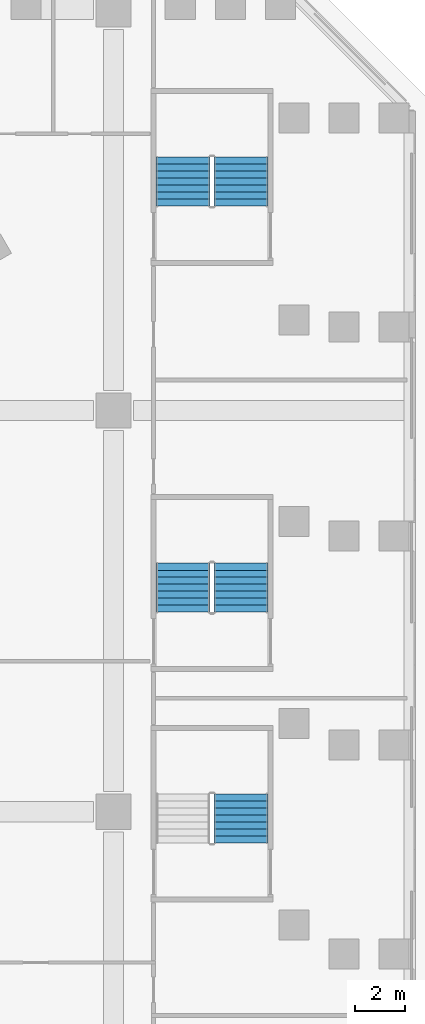
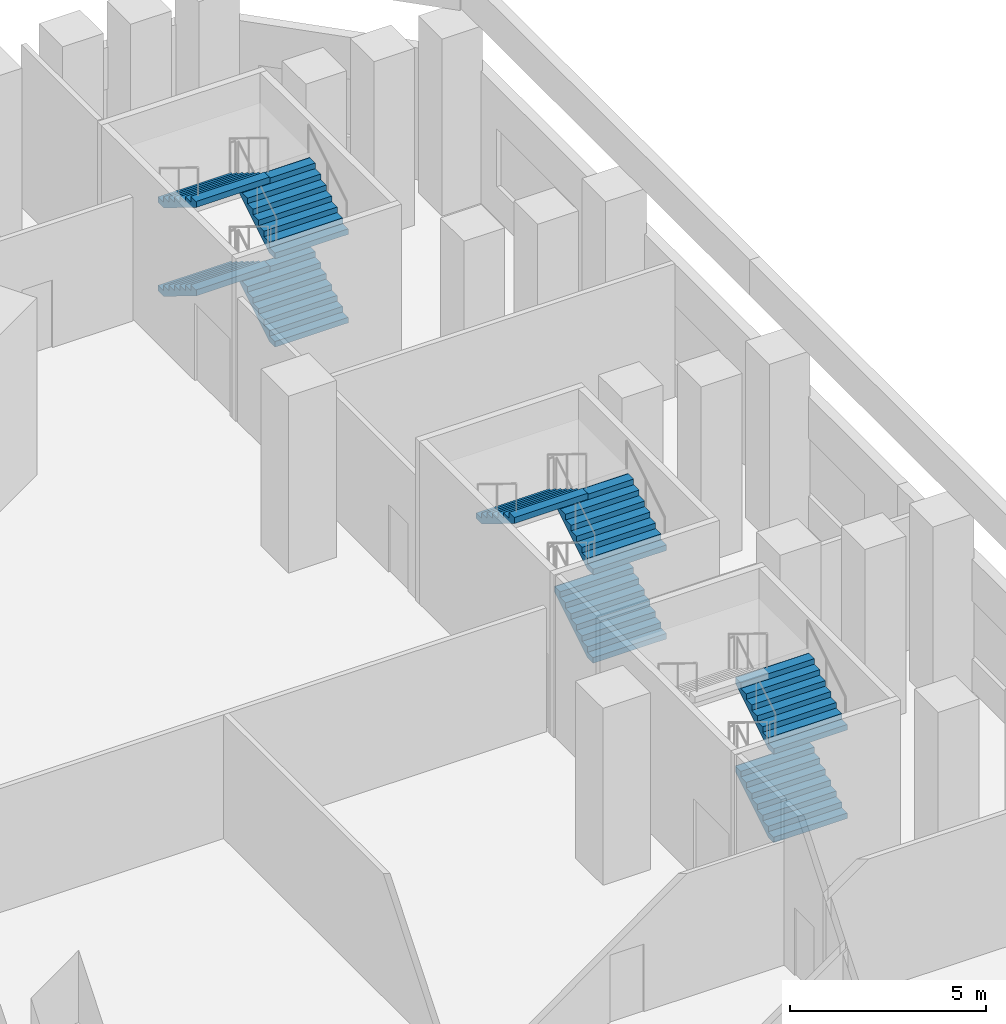
# One storey, part 17 of 22: 9 stair flights, 3 elements without a shape of their own.
"""IFC4 building model written with IfcOpenShell, lengths in metres."""

from ifc_helpers import new_model, si_unit, direction, frame, origin, place, context, subcontext, project, spatial, faceted_brep, source, transform, mapped, material, type_object, element, aggregate, save


model = new_model("IFC4")

# Units and contexts
model_context = context("Model", 3, precision=1e-05, world=origin(), true_north=direction((0.0, 1.0)))
body_context = subcontext(model_context, "Body", "Model", "MODEL_VIEW")
ifc_project = project(units=[si_unit("LENGTHUNIT", "METRE"), si_unit("AREAUNIT", "SQUARE_METRE"), si_unit("VOLUMEUNIT", "CUBIC_METRE"), si_unit("PLANEANGLEUNIT", "RADIAN"), si_unit("MASSUNIT", "GRAM", prefix="KILO")], contexts=[model_context])

# Site, building, storey
site_placement = place(None, origin())
site = spatial("IfcSite", under=ifc_project, at=site_placement, CompositionType="ELEMENT")
building_placement = place(site_placement, origin())
building = spatial("IfcBuilding", under=site, at=building_placement, Name="Calabash Gate Tower", CompositionType="ELEMENT")
storey_placement = place(building_placement, frame((0.0, 0.0, 29.0)))
storey = spatial("IfcBuildingStorey", under=building, at=storey_placement, Name="L03", CompositionType="ELEMENT", Elevation=29.0)

# Stair, stair flights
ifc_material_1 = material(Name="Concrete C40/50", Category="concrete")
stair_type = type_object("IfcStairType", Name="Public stair 32 risers of 171.9 mm", PredefinedType="HALF_TURN_STAIR", material=ifc_material_1)
stair_1_placement = place(storey_placement, origin())
stair_1 = element("IfcStair", 1, at=stair_1_placement, inside=storey, type_object=stair_type, Name="L03 Public Stair PS8", PredefinedType="HALF_TURN_STAIR")
ifc_material_2 = material(Name="Concrete C40/50", Category="concrete")
stair_flight_type = type_object("IfcStairFlightType", Name="Exit stair flight SFL", PredefinedType="STRAIGHT", material=ifc_material_2)
shared_shape = source(origin(), body_context, "Body", "Brep", [
    faceted_brep([(-0.0009765625, -1.080078125, 0.0), (0.285888671875, -1.080078125, 0.0), (1.9541015625, -1.080078125, 1.027099609375), (-0.0009765625, 1.080078125, 0.0), (1.9541015625, 1.080078125, 1.027099609375), (0.285888671875, 1.080078125, 0.0), (1.9541015625, -1.080078125, 1.215087890625), (1.952880859375, -1.080078125, 1.215087890625), (1.952880859375, 1.080078125, 1.215087890625), (1.9541015625, 1.080078125, 1.215087890625), (1.952880859375, -1.080078125, 1.203125), (1.952880859375, 1.080078125, 1.203125), (1.674072265625, -1.080078125, 1.203125), (1.674072265625, 1.080078125, 1.203125), (1.674072265625, -1.080078125, 1.03125), (1.674072265625, 1.080078125, 1.03125), (1.39501953125, -1.080078125, 1.03125), (1.39501953125, 1.080078125, 1.03125), (1.39501953125, -1.080078125, 0.859375), (1.39501953125, 1.080078125, 0.859375), (1.115966796875, -1.080078125, 0.859375), (1.115966796875, -1.080078125, 0.6875), (1.115966796875, 1.080078125, 0.6875), (1.115966796875, 1.080078125, 0.859375), (0.8369140625, -1.080078125, 0.6875), (0.8369140625, -1.080078125, 0.515625), (0.8369140625, 1.080078125, 0.515625), (0.8369140625, 1.080078125, 0.6875), (0.55810546875, -1.080078125, 0.515625), (0.55810546875, -1.080078125, 0.34375), (0.55810546875, 1.080078125, 0.34375), (0.55810546875, 1.080078125, 0.515625), (0.279052734375, -1.080078125, 0.34375), (0.279052734375, -1.080078125, 0.171875), (0.279052734375, 1.080078125, 0.171875), (0.279052734375, 1.080078125, 0.34375), (-0.0009765625, -1.080078125, 0.171875), (-0.0009765625, 1.080078125, 0.171875), (0.285888671875, -0.431884765625, 0.0), (1.9541015625, -0.431884765625, 1.027099609375), (0.285888671875, -0.370361328125, 0.0), (1.9541015625, -0.370361328125, 1.027099609375), (0.285888671875, -0.30859375, 0.0), (1.9541015625, -0.30859375, 1.027099609375), (0.285888671875, -0.246826171875, 0.0), (1.9541015625, -0.246826171875, 1.027099609375), (0.285888671875, -0.18505859375, 0.0), (1.9541015625, -0.18505859375, 1.027099609375), (0.285888671875, -0.12353515625, 0.0), (1.9541015625, -0.12353515625, 1.027099609375), (0.285888671875, -0.061767578125, 0.0), (1.9541015625, -0.061767578125, 1.027099609375), (0.285888671875, 0.0, 0.0), (1.9541015625, 0.0, 1.027099609375), (0.285888671875, 0.061767578125, 0.0), (1.9541015625, 0.061767578125, 1.027099609375), (0.285888671875, 0.12353515625, 0.0), (1.9541015625, 0.12353515625, 1.027099609375), (0.285888671875, 0.18505859375, 0.0), (1.9541015625, 0.18505859375, 1.027099609375), (0.285888671875, 0.246826171875, 0.0), (1.9541015625, 0.246826171875, 1.027099609375), (0.285888671875, 0.30859375, 0.0), (1.9541015625, 0.30859375, 1.027099609375), (0.285888671875, 0.370361328125, 0.0), (1.9541015625, 0.370361328125, 1.027099609375), (0.285888671875, 0.431884765625, 0.0), (1.9541015625, 0.431884765625, 1.027099609375), (1.9541015625, -0.431884765625, 1.215087890625), (1.9541015625, -0.370361328125, 1.215087890625), (1.9541015625, -0.30859375, 1.215087890625), (1.9541015625, -0.246826171875, 1.215087890625), (1.9541015625, -0.18505859375, 1.215087890625), (1.9541015625, -0.12353515625, 1.215087890625), (1.9541015625, -0.061767578125, 1.215087890625), (1.9541015625, 0.0, 1.215087890625), (1.9541015625, 0.061767578125, 1.215087890625), (1.9541015625, 0.12353515625, 1.215087890625), (1.9541015625, 0.18505859375, 1.215087890625), (1.9541015625, 0.246826171875, 1.215087890625), (1.9541015625, 0.30859375, 1.215087890625), (1.9541015625, 0.370361328125, 1.215087890625), (1.9541015625, 0.431884765625, 1.215087890625), (1.952880859375, -0.431884765625, 1.215087890625), (1.952880859375, -0.370361328125, 1.215087890625), (1.952880859375, -0.30859375, 1.215087890625), (1.952880859375, -0.246826171875, 1.215087890625), (1.952880859375, -0.18505859375, 1.215087890625), (1.952880859375, -0.12353515625, 1.215087890625), (1.952880859375, -0.061767578125, 1.215087890625), (1.952880859375, 0.0, 1.215087890625), (1.952880859375, 0.061767578125, 1.215087890625), (1.952880859375, 0.12353515625, 1.215087890625), (1.952880859375, 0.18505859375, 1.215087890625), (1.952880859375, 0.246826171875, 1.215087890625), (1.952880859375, 0.30859375, 1.215087890625), (1.952880859375, 0.370361328125, 1.215087890625), (1.952880859375, 0.431884765625, 1.215087890625), (1.952880859375, -0.431884765625, 1.203125), (1.952880859375, -0.370361328125, 1.203125), (1.952880859375, -0.30859375, 1.203125), (1.952880859375, -0.246826171875, 1.203125), (1.952880859375, -0.18505859375, 1.203125), (1.952880859375, -0.12353515625, 1.203125), (1.952880859375, -0.061767578125, 1.203125), (1.952880859375, 0.0, 1.203125), (1.952880859375, 0.061767578125, 1.203125), (1.952880859375, 0.12353515625, 1.203125), (1.952880859375, 0.18505859375, 1.203125), (1.952880859375, 0.246826171875, 1.203125), (1.952880859375, 0.30859375, 1.203125), (1.952880859375, 0.370361328125, 1.203125), (1.952880859375, 0.431884765625, 1.203125), (1.674072265625, -0.431884765625, 1.203125), (1.674072265625, -0.370361328125, 1.203125), (1.674072265625, -0.30859375, 1.203125), (1.674072265625, -0.246826171875, 1.203125), (1.674072265625, -0.18505859375, 1.203125), (1.674072265625, -0.12353515625, 1.203125), (1.674072265625, -0.061767578125, 1.203125), (1.674072265625, 0.0, 1.203125), (1.674072265625, 0.061767578125, 1.203125), (1.674072265625, 0.12353515625, 1.203125), (1.674072265625, 0.18505859375, 1.203125), (1.674072265625, 0.246826171875, 1.203125), (1.674072265625, 0.30859375, 1.203125), (1.674072265625, 0.370361328125, 1.203125), (1.674072265625, 0.431884765625, 1.203125), (1.674072265625, -0.431884765625, 1.03125), (1.674072265625, -0.370361328125, 1.03125), (1.674072265625, -0.30859375, 1.03125), (1.674072265625, -0.246826171875, 1.03125), (1.674072265625, -0.18505859375, 1.03125), (1.674072265625, -0.12353515625, 1.03125), (1.674072265625, -0.061767578125, 1.03125), (1.674072265625, 0.0, 1.03125), (1.674072265625, 0.061767578125, 1.03125), (1.674072265625, 0.12353515625, 1.03125), (1.674072265625, 0.18505859375, 1.03125), (1.674072265625, 0.246826171875, 1.03125), (1.674072265625, 0.30859375, 1.03125), (1.674072265625, 0.370361328125, 1.03125), (1.674072265625, 0.431884765625, 1.03125), (1.39501953125, -0.431884765625, 1.03125), (1.39501953125, -0.370361328125, 1.03125), (1.39501953125, -0.30859375, 1.03125), (1.39501953125, -0.246826171875, 1.03125), (1.39501953125, -0.18505859375, 1.03125), (1.39501953125, -0.12353515625, 1.03125), (1.39501953125, -0.061767578125, 1.03125), (1.39501953125, 0.0, 1.03125), (1.39501953125, 0.061767578125, 1.03125), (1.39501953125, 0.12353515625, 1.03125), (1.39501953125, 0.18505859375, 1.03125), (1.39501953125, 0.246826171875, 1.03125), (1.39501953125, 0.30859375, 1.03125), (1.39501953125, 0.370361328125, 1.03125), (1.39501953125, 0.431884765625, 1.03125), (1.39501953125, -0.431884765625, 0.859375), (1.39501953125, -0.370361328125, 0.859375), (1.39501953125, -0.30859375, 0.859375), (1.39501953125, -0.246826171875, 0.859375), (1.39501953125, -0.18505859375, 0.859375), (1.39501953125, -0.12353515625, 0.859375), (1.39501953125, -0.061767578125, 0.859375), (1.39501953125, 0.0, 0.859375), (1.39501953125, 0.061767578125, 0.859375), (1.39501953125, 0.12353515625, 0.859375), (1.39501953125, 0.18505859375, 0.859375), (1.39501953125, 0.246826171875, 0.859375), (1.39501953125, 0.30859375, 0.859375), (1.39501953125, 0.370361328125, 0.859375), (1.39501953125, 0.431884765625, 0.859375), (1.115966796875, -0.431884765625, 0.859375), (1.115966796875, -0.370361328125, 0.859375), (1.115966796875, -0.30859375, 0.859375), (1.115966796875, -0.246826171875, 0.859375), (1.115966796875, -0.18505859375, 0.859375), (1.115966796875, -0.12353515625, 0.859375), (1.115966796875, -0.061767578125, 0.859375), (1.115966796875, 0.0, 0.859375), (1.115966796875, 0.061767578125, 0.859375), (1.115966796875, 0.12353515625, 0.859375), (1.115966796875, 0.18505859375, 0.859375), (1.115966796875, 0.246826171875, 0.859375), (1.115966796875, 0.30859375, 0.859375), (1.115966796875, 0.370361328125, 0.859375), (1.115966796875, 0.431884765625, 0.859375), (1.115966796875, -0.431884765625, 0.6875), (1.115966796875, -0.370361328125, 0.6875), (1.115966796875, -0.30859375, 0.6875), (1.115966796875, -0.246826171875, 0.6875), (1.115966796875, -0.18505859375, 0.6875), (1.115966796875, -0.12353515625, 0.6875), (1.115966796875, -0.061767578125, 0.6875), (1.115966796875, 0.0, 0.6875), (1.115966796875, 0.061767578125, 0.6875), (1.115966796875, 0.12353515625, 0.6875), (1.115966796875, 0.18505859375, 0.6875), (1.115966796875, 0.246826171875, 0.6875), (1.115966796875, 0.30859375, 0.6875), (1.115966796875, 0.370361328125, 0.6875), (1.115966796875, 0.431884765625, 0.6875), (0.8369140625, -0.431884765625, 0.6875), (0.8369140625, -0.370361328125, 0.6875), (0.8369140625, -0.30859375, 0.6875), (0.8369140625, -0.246826171875, 0.6875), (0.8369140625, -0.18505859375, 0.6875), (0.8369140625, -0.12353515625, 0.6875), (0.8369140625, -0.061767578125, 0.6875), (0.8369140625, 0.0, 0.6875), (0.8369140625, 0.061767578125, 0.6875), (0.8369140625, 0.12353515625, 0.6875), (0.8369140625, 0.18505859375, 0.6875), (0.8369140625, 0.246826171875, 0.6875), (0.8369140625, 0.30859375, 0.6875), (0.8369140625, 0.370361328125, 0.6875), (0.8369140625, 0.431884765625, 0.6875), (0.8369140625, -0.431884765625, 0.515625), (0.8369140625, -0.370361328125, 0.515625), (0.8369140625, -0.30859375, 0.515625), (0.8369140625, -0.246826171875, 0.515625), (0.8369140625, -0.18505859375, 0.515625), (0.8369140625, -0.12353515625, 0.515625), (0.8369140625, -0.061767578125, 0.515625), (0.8369140625, 0.0, 0.515625), (0.8369140625, 0.061767578125, 0.515625), (0.8369140625, 0.12353515625, 0.515625), (0.8369140625, 0.18505859375, 0.515625), (0.8369140625, 0.246826171875, 0.515625), (0.8369140625, 0.30859375, 0.515625), (0.8369140625, 0.370361328125, 0.515625), (0.8369140625, 0.431884765625, 0.515625), (0.55810546875, -0.431884765625, 0.515625), (0.55810546875, -0.370361328125, 0.515625), (0.55810546875, -0.30859375, 0.515625), (0.55810546875, -0.246826171875, 0.515625), (0.55810546875, -0.18505859375, 0.515625), (0.55810546875, -0.12353515625, 0.515625), (0.55810546875, -0.061767578125, 0.515625), (0.55810546875, 0.0, 0.515625), (0.55810546875, 0.061767578125, 0.515625), (0.55810546875, 0.12353515625, 0.515625), (0.55810546875, 0.18505859375, 0.515625), (0.55810546875, 0.246826171875, 0.515625), (0.55810546875, 0.30859375, 0.515625), (0.55810546875, 0.370361328125, 0.515625), (0.55810546875, 0.431884765625, 0.515625), (0.55810546875, -0.431884765625, 0.34375), (0.55810546875, -0.370361328125, 0.34375), (0.55810546875, -0.30859375, 0.34375), (0.55810546875, -0.246826171875, 0.34375), (0.55810546875, -0.18505859375, 0.34375), (0.55810546875, -0.12353515625, 0.34375), (0.55810546875, -0.061767578125, 0.34375), (0.55810546875, 0.0, 0.34375), (0.55810546875, 0.061767578125, 0.34375), (0.55810546875, 0.12353515625, 0.34375), (0.55810546875, 0.18505859375, 0.34375), (0.55810546875, 0.246826171875, 0.34375), (0.55810546875, 0.30859375, 0.34375), (0.55810546875, 0.370361328125, 0.34375), (0.55810546875, 0.431884765625, 0.34375), (0.279052734375, -0.431884765625, 0.34375), (0.279052734375, -0.370361328125, 0.34375), (0.279052734375, -0.30859375, 0.34375), (0.279052734375, -0.246826171875, 0.34375), (0.279052734375, -0.18505859375, 0.34375), (0.279052734375, -0.12353515625, 0.34375), (0.279052734375, -0.061767578125, 0.34375), (0.279052734375, 0.0, 0.34375), (0.279052734375, 0.061767578125, 0.34375), (0.279052734375, 0.12353515625, 0.34375), (0.279052734375, 0.18505859375, 0.34375), (0.279052734375, 0.246826171875, 0.34375), (0.279052734375, 0.30859375, 0.34375), (0.279052734375, 0.370361328125, 0.34375), (0.279052734375, 0.431884765625, 0.34375), (0.279052734375, -0.431884765625, 0.171875), (0.279052734375, -0.370361328125, 0.171875), (0.279052734375, -0.30859375, 0.171875), (0.279052734375, -0.246826171875, 0.171875), (0.279052734375, -0.18505859375, 0.171875), (0.279052734375, -0.12353515625, 0.171875), (0.279052734375, -0.061767578125, 0.171875), (0.279052734375, 0.0, 0.171875), (0.279052734375, 0.061767578125, 0.171875), (0.279052734375, 0.12353515625, 0.171875), (0.279052734375, 0.18505859375, 0.171875), (0.279052734375, 0.246826171875, 0.171875), (0.279052734375, 0.30859375, 0.171875), (0.279052734375, 0.370361328125, 0.171875), (0.279052734375, 0.431884765625, 0.171875), (-0.0009765625, -0.431884765625, 0.171875), (-0.0009765625, -0.370361328125, 0.171875), (-0.0009765625, -0.30859375, 0.171875), (-0.0009765625, -0.246826171875, 0.171875), (-0.0009765625, -0.18505859375, 0.171875), (-0.0009765625, -0.12353515625, 0.171875), (-0.0009765625, -0.061767578125, 0.171875), (-0.0009765625, 0.0, 0.171875), (-0.0009765625, 0.061767578125, 0.171875), (-0.0009765625, 0.12353515625, 0.171875), (-0.0009765625, 0.18505859375, 0.171875), (-0.0009765625, 0.246826171875, 0.171875), (-0.0009765625, 0.30859375, 0.171875), (-0.0009765625, 0.370361328125, 0.171875), (-0.0009765625, 0.431884765625, 0.171875), (-0.0009765625, -0.431884765625, 0.0), (-0.0009765625, -0.370361328125, 0.0), (-0.0009765625, -0.30859375, 0.0), (-0.0009765625, -0.246826171875, 0.0), (-0.0009765625, -0.18505859375, 0.0), (-0.0009765625, -0.12353515625, 0.0), (-0.0009765625, -0.061767578125, 0.0), (-0.0009765625, 0.0, 0.0), (-0.0009765625, 0.061767578125, 0.0), (-0.0009765625, 0.12353515625, 0.0), (-0.0009765625, 0.18505859375, 0.0), (-0.0009765625, 0.246826171875, 0.0), (-0.0009765625, 0.30859375, 0.0), (-0.0009765625, 0.370361328125, 0.0), (-0.0009765625, 0.431884765625, 0.0)], [[[0, 1, 2]], [[3, 4, 5]], [[2, 6, 7]], [[4, 8, 9]], [[2, 7, 10]], [[4, 11, 8]], [[2, 10, 12]], [[4, 13, 11]], [[2, 12, 14]], [[4, 15, 13]], [[2, 14, 16]], [[4, 17, 15]], [[2, 16, 18]], [[4, 19, 17]], [[18, 20, 21]], [[19, 22, 23]], [[2, 18, 21]], [[4, 22, 19]], [[21, 24, 25]], [[22, 26, 27]], [[2, 21, 25]], [[4, 26, 22]], [[25, 28, 29]], [[26, 30, 31]], [[2, 25, 29]], [[4, 30, 26]], [[29, 32, 33]], [[30, 34, 35]], [[2, 29, 33]], [[4, 34, 30]], [[0, 2, 33]], [[3, 34, 4]], [[33, 36, 0]], [[34, 3, 37]], [[1, 38, 2]], [[38, 39, 2]], [[38, 40, 39]], [[40, 41, 39]], [[40, 42, 41]], [[42, 43, 41]], [[42, 44, 43]], [[44, 45, 43]], [[44, 46, 45]], [[46, 47, 45]], [[46, 48, 47]], [[48, 49, 47]], [[48, 50, 49]], [[50, 51, 49]], [[50, 52, 51]], [[52, 53, 51]], [[52, 54, 55]], [[52, 55, 53]], [[54, 56, 57]], [[54, 57, 55]], [[56, 58, 59]], [[56, 59, 57]], [[58, 60, 61]], [[58, 61, 59]], [[60, 62, 63]], [[60, 63, 61]], [[62, 64, 65]], [[62, 65, 63]], [[64, 66, 67]], [[64, 67, 65]], [[66, 5, 4]], [[66, 4, 67]], [[2, 39, 6]], [[39, 68, 6]], [[39, 41, 68]], [[41, 69, 68]], [[41, 43, 69]], [[43, 70, 69]], [[43, 45, 70]], [[45, 71, 70]], [[45, 47, 71]], [[47, 72, 71]], [[47, 49, 72]], [[49, 73, 72]], [[49, 51, 73]], [[51, 74, 73]], [[51, 53, 74]], [[53, 75, 74]], [[53, 55, 76]], [[53, 76, 75]], [[55, 57, 77]], [[55, 77, 76]], [[57, 59, 78]], [[57, 78, 77]], [[59, 61, 79]], [[59, 79, 78]], [[61, 63, 80]], [[61, 80, 79]], [[63, 65, 81]], [[63, 81, 80]], [[65, 67, 82]], [[65, 82, 81]], [[67, 4, 9]], [[67, 9, 82]], [[6, 68, 7]], [[68, 83, 7]], [[68, 69, 83]], [[69, 84, 83]], [[69, 70, 84]], [[70, 85, 84]], [[70, 71, 85]], [[71, 86, 85]], [[71, 72, 86]], [[72, 87, 86]], [[72, 73, 87]], [[73, 88, 87]], [[73, 74, 88]], [[74, 89, 88]], [[74, 75, 89]], [[75, 90, 89]], [[75, 76, 91]], [[75, 91, 90]], [[76, 77, 92]], [[76, 92, 91]], [[77, 78, 93]], [[77, 93, 92]], [[78, 79, 94]], [[78, 94, 93]], [[79, 80, 95]], [[79, 95, 94]], [[80, 81, 96]], [[80, 96, 95]], [[81, 82, 97]], [[81, 97, 96]], [[82, 9, 8]], [[82, 8, 97]], [[7, 83, 10]], [[83, 98, 10]], [[83, 84, 98]], [[84, 99, 98]], [[84, 85, 99]], [[85, 100, 99]], [[85, 86, 100]], [[86, 101, 100]], [[86, 87, 101]], [[87, 102, 101]], [[87, 88, 102]], [[88, 103, 102]], [[88, 89, 103]], [[89, 104, 103]], [[89, 90, 104]], [[90, 105, 104]], [[90, 91, 106]], [[90, 106, 105]], [[91, 92, 107]], [[91, 107, 106]], [[92, 93, 108]], [[92, 108, 107]], [[93, 94, 109]], [[93, 109, 108]], [[94, 95, 110]], [[94, 110, 109]], [[95, 96, 111]], [[95, 111, 110]], [[96, 97, 112]], [[96, 112, 111]], [[97, 8, 11]], [[97, 11, 112]], [[10, 98, 12]], [[98, 113, 12]], [[98, 99, 113]], [[99, 114, 113]], [[99, 100, 114]], [[100, 115, 114]], [[100, 101, 115]], [[101, 116, 115]], [[101, 102, 116]], [[102, 117, 116]], [[102, 103, 117]], [[103, 118, 117]], [[103, 104, 118]], [[104, 119, 118]], [[104, 105, 119]], [[105, 120, 119]], [[105, 106, 121]], [[105, 121, 120]], [[106, 107, 122]], [[106, 122, 121]], [[107, 108, 123]], [[107, 123, 122]], [[108, 109, 124]], [[108, 124, 123]], [[109, 110, 125]], [[109, 125, 124]], [[110, 111, 126]], [[110, 126, 125]], [[111, 112, 127]], [[111, 127, 126]], [[112, 11, 13]], [[112, 13, 127]], [[12, 113, 14]], [[113, 128, 14]], [[113, 114, 128]], [[114, 129, 128]], [[114, 115, 129]], [[115, 130, 129]], [[115, 116, 130]], [[116, 131, 130]], [[116, 117, 131]], [[117, 132, 131]], [[117, 118, 132]], [[118, 133, 132]], [[118, 119, 133]], [[119, 134, 133]], [[119, 120, 134]], [[120, 135, 134]], [[120, 121, 136]], [[120, 136, 135]], [[121, 122, 137]], [[121, 137, 136]], [[122, 123, 138]], [[122, 138, 137]], [[123, 124, 139]], [[123, 139, 138]], [[124, 125, 140]], [[124, 140, 139]], [[125, 126, 141]], [[125, 141, 140]], [[126, 127, 142]], [[126, 142, 141]], [[127, 13, 15]], [[127, 15, 142]], [[14, 128, 16]], [[128, 143, 16]], [[128, 129, 143]], [[129, 144, 143]], [[129, 130, 144]], [[130, 145, 144]], [[130, 131, 145]], [[131, 146, 145]], [[131, 132, 146]], [[132, 147, 146]], [[132, 133, 147]], [[133, 148, 147]], [[133, 134, 148]], [[134, 149, 148]], [[134, 135, 149]], [[135, 150, 149]], [[135, 136, 151]], [[135, 151, 150]], [[136, 137, 152]], [[136, 152, 151]], [[137, 138, 153]], [[137, 153, 152]], [[138, 139, 154]], [[138, 154, 153]], [[139, 140, 155]], [[139, 155, 154]], [[140, 141, 156]], [[140, 156, 155]], [[141, 142, 157]], [[141, 157, 156]], [[142, 15, 17]], [[142, 17, 157]], [[16, 143, 18]], [[143, 158, 18]], [[143, 144, 158]], [[144, 159, 158]], [[144, 145, 159]], [[145, 160, 159]], [[145, 146, 160]], [[146, 161, 160]], [[146, 147, 161]], [[147, 162, 161]], [[147, 148, 162]], [[148, 163, 162]], [[148, 149, 163]], [[149, 164, 163]], [[149, 150, 164]], [[150, 165, 164]], [[150, 151, 166]], [[150, 166, 165]], [[151, 152, 167]], [[151, 167, 166]], [[152, 153, 168]], [[152, 168, 167]], [[153, 154, 169]], [[153, 169, 168]], [[154, 155, 170]], [[154, 170, 169]], [[155, 156, 171]], [[155, 171, 170]], [[156, 157, 172]], [[156, 172, 171]], [[157, 17, 19]], [[157, 19, 172]], [[18, 158, 20]], [[158, 173, 20]], [[158, 159, 173]], [[159, 174, 173]], [[159, 160, 174]], [[160, 175, 174]], [[160, 161, 175]], [[161, 176, 175]], [[161, 162, 176]], [[162, 177, 176]], [[162, 163, 177]], [[163, 178, 177]], [[163, 164, 178]], [[164, 179, 178]], [[164, 165, 179]], [[165, 180, 179]], [[165, 166, 181]], [[165, 181, 180]], [[166, 167, 182]], [[166, 182, 181]], [[167, 168, 183]], [[167, 183, 182]], [[168, 169, 184]], [[168, 184, 183]], [[169, 170, 185]], [[169, 185, 184]], [[170, 171, 186]], [[170, 186, 185]], [[171, 172, 187]], [[171, 187, 186]], [[172, 19, 23]], [[172, 23, 187]], [[20, 173, 21]], [[173, 188, 21]], [[173, 174, 188]], [[174, 189, 188]], [[174, 175, 189]], [[175, 190, 189]], [[175, 176, 190]], [[176, 191, 190]], [[176, 177, 191]], [[177, 192, 191]], [[177, 178, 192]], [[178, 193, 192]], [[178, 179, 193]], [[179, 194, 193]], [[179, 180, 194]], [[180, 195, 194]], [[180, 181, 196]], [[180, 196, 195]], [[181, 182, 197]], [[181, 197, 196]], [[182, 183, 198]], [[182, 198, 197]], [[183, 184, 199]], [[183, 199, 198]], [[184, 185, 200]], [[184, 200, 199]], [[185, 186, 201]], [[185, 201, 200]], [[186, 187, 202]], [[186, 202, 201]], [[187, 23, 22]], [[187, 22, 202]], [[21, 188, 24]], [[188, 203, 24]], [[188, 189, 203]], [[189, 204, 203]], [[189, 190, 204]], [[190, 205, 204]], [[190, 191, 205]], [[191, 206, 205]], [[191, 192, 206]], [[192, 207, 206]], [[192, 193, 207]], [[193, 208, 207]], [[193, 194, 208]], [[194, 209, 208]], [[194, 195, 209]], [[195, 210, 209]], [[195, 196, 211]], [[195, 211, 210]], [[196, 197, 212]], [[196, 212, 211]], [[197, 198, 213]], [[197, 213, 212]], [[198, 199, 214]], [[198, 214, 213]], [[199, 200, 215]], [[199, 215, 214]], [[200, 201, 216]], [[200, 216, 215]], [[201, 202, 217]], [[201, 217, 216]], [[202, 22, 27]], [[202, 27, 217]], [[24, 203, 25]], [[203, 218, 25]], [[203, 204, 218]], [[204, 219, 218]], [[204, 205, 219]], [[205, 220, 219]], [[205, 206, 220]], [[206, 221, 220]], [[206, 207, 221]], [[207, 222, 221]], [[207, 208, 222]], [[208, 223, 222]], [[208, 209, 223]], [[209, 224, 223]], [[209, 210, 224]], [[210, 225, 224]], [[210, 211, 226]], [[210, 226, 225]], [[211, 212, 227]], [[211, 227, 226]], [[212, 213, 228]], [[212, 228, 227]], [[213, 214, 229]], [[213, 229, 228]], [[214, 215, 230]], [[214, 230, 229]], [[215, 216, 231]], [[215, 231, 230]], [[216, 217, 232]], [[216, 232, 231]], [[217, 27, 26]], [[217, 26, 232]], [[25, 218, 28]], [[218, 233, 28]], [[218, 219, 233]], [[219, 234, 233]], [[219, 220, 234]], [[220, 235, 234]], [[220, 221, 235]], [[221, 236, 235]], [[221, 222, 236]], [[222, 237, 236]], [[222, 223, 237]], [[223, 238, 237]], [[223, 224, 238]], [[224, 239, 238]], [[224, 225, 239]], [[225, 240, 239]], [[225, 226, 241]], [[225, 241, 240]], [[226, 227, 242]], [[226, 242, 241]], [[227, 228, 243]], [[227, 243, 242]], [[228, 229, 244]], [[228, 244, 243]], [[229, 230, 245]], [[229, 245, 244]], [[230, 231, 246]], [[230, 246, 245]], [[231, 232, 247]], [[231, 247, 246]], [[232, 26, 31]], [[232, 31, 247]], [[28, 233, 29]], [[233, 248, 29]], [[233, 234, 248]], [[234, 249, 248]], [[234, 235, 249]], [[235, 250, 249]], [[235, 236, 250]], [[236, 251, 250]], [[236, 237, 251]], [[237, 252, 251]], [[237, 238, 252]], [[238, 253, 252]], [[238, 239, 253]], [[239, 254, 253]], [[239, 240, 254]], [[240, 255, 254]], [[240, 241, 256]], [[240, 256, 255]], [[241, 242, 257]], [[241, 257, 256]], [[242, 243, 258]], [[242, 258, 257]], [[243, 244, 259]], [[243, 259, 258]], [[244, 245, 260]], [[244, 260, 259]], [[245, 246, 261]], [[245, 261, 260]], [[246, 247, 262]], [[246, 262, 261]], [[247, 31, 30]], [[247, 30, 262]], [[29, 248, 32]], [[248, 263, 32]], [[248, 249, 263]], [[249, 264, 263]], [[249, 250, 264]], [[250, 265, 264]], [[250, 251, 265]], [[251, 266, 265]], [[251, 252, 266]], [[252, 267, 266]], [[252, 253, 267]], [[253, 268, 267]], [[253, 254, 268]], [[254, 269, 268]], [[254, 255, 269]], [[255, 270, 269]], [[255, 256, 271]], [[255, 271, 270]], [[256, 257, 272]], [[256, 272, 271]], [[257, 258, 273]], [[257, 273, 272]], [[258, 259, 274]], [[258, 274, 273]], [[259, 260, 275]], [[259, 275, 274]], [[260, 261, 276]], [[260, 276, 275]], [[261, 262, 277]], [[261, 277, 276]], [[262, 30, 35]], [[262, 35, 277]], [[32, 263, 33]], [[263, 278, 33]], [[263, 264, 278]], [[264, 279, 278]], [[264, 265, 279]], [[265, 280, 279]], [[265, 266, 280]], [[266, 281, 280]], [[266, 267, 281]], [[267, 282, 281]], [[267, 268, 282]], [[268, 283, 282]], [[268, 269, 283]], [[269, 284, 283]], [[269, 270, 284]], [[270, 285, 284]], [[270, 271, 286]], [[270, 286, 285]], [[271, 272, 287]], [[271, 287, 286]], [[272, 273, 288]], [[272, 288, 287]], [[273, 274, 289]], [[273, 289, 288]], [[274, 275, 290]], [[274, 290, 289]], [[275, 276, 291]], [[275, 291, 290]], [[276, 277, 292]], [[276, 292, 291]], [[277, 35, 34]], [[277, 34, 292]], [[33, 278, 36]], [[278, 293, 36]], [[278, 279, 293]], [[279, 294, 293]], [[279, 280, 294]], [[280, 295, 294]], [[280, 281, 295]], [[281, 296, 295]], [[281, 282, 296]], [[282, 297, 296]], [[282, 283, 297]], [[283, 298, 297]], [[283, 284, 298]], [[284, 299, 298]], [[284, 285, 299]], [[285, 300, 299]], [[285, 286, 301]], [[285, 301, 300]], [[286, 287, 302]], [[286, 302, 301]], [[287, 288, 303]], [[287, 303, 302]], [[288, 289, 304]], [[288, 304, 303]], [[289, 290, 305]], [[289, 305, 304]], [[290, 291, 306]], [[290, 306, 305]], [[291, 292, 307]], [[291, 307, 306]], [[292, 34, 37]], [[292, 37, 307]], [[36, 293, 0]], [[293, 308, 0]], [[293, 294, 308]], [[294, 309, 308]], [[294, 295, 309]], [[295, 310, 309]], [[295, 296, 310]], [[296, 311, 310]], [[296, 297, 311]], [[297, 312, 311]], [[297, 298, 312]], [[298, 313, 312]], [[298, 299, 313]], [[299, 314, 313]], [[299, 300, 314]], [[300, 315, 314]], [[300, 301, 316]], [[300, 316, 315]], [[301, 302, 317]], [[301, 317, 316]], [[302, 303, 318]], [[302, 318, 317]], [[303, 304, 319]], [[303, 319, 318]], [[304, 305, 320]], [[304, 320, 319]], [[305, 306, 321]], [[305, 321, 320]], [[306, 307, 322]], [[306, 322, 321]], [[307, 37, 3]], [[307, 3, 322]], [[0, 308, 1]], [[308, 38, 1]], [[308, 309, 38]], [[309, 40, 38]], [[309, 310, 40]], [[310, 42, 40]], [[310, 311, 42]], [[311, 44, 42]], [[311, 312, 44]], [[312, 46, 44]], [[312, 313, 46]], [[313, 48, 46]], [[313, 314, 48]], [[314, 50, 48]], [[314, 315, 50]], [[315, 52, 50]], [[315, 316, 54]], [[315, 54, 52]], [[316, 317, 56]], [[316, 56, 54]], [[317, 318, 58]], [[317, 58, 56]], [[318, 319, 60]], [[318, 60, 58]], [[319, 320, 62]], [[319, 62, 60]], [[320, 321, 64]], [[320, 64, 62]], [[321, 322, 66]], [[321, 66, 64]], [[322, 3, 5]], [[322, 5, 66]]]),
])
stair_flight_1_placement = place(storey_placement, frame((37.090087890625, -9.239990234375, 0.0), z_axis=(0.0, 0.0, 1.0), x_axis=(0.0, 1.0, 0.0)))
stair_flight_1 = element("IfcStairFlight", 2, at=stair_flight_1_placement, type_object=stair_flight_type, Name="PS8 flight 1", NumberOfRisers=8, NumberOfTreads=7, PredefinedType="STRAIGHT", RiserHeight=0.171875, TreadLength=0.279, context=body_context, shape_type="MappedRepresentation", body=[
    mapped(shared_shape, transform((0.0, 0.0, 0.0), scale=1.0)),
])
stair_flight_2_placement = place(storey_placement, frame((37.090087890625, -9.239990234375, 2.75), z_axis=(0.0, 0.0, 1.0), x_axis=(0.0, 1.0, 0.0)))
stair_flight_2 = element("IfcStairFlight", 3, at=stair_flight_2_placement, type_object=stair_flight_type, Name="PS8 flight 3", NumberOfRisers=8, NumberOfTreads=7, PredefinedType="STRAIGHT", RiserHeight=0.171875, TreadLength=0.279, context=body_context, shape_type="MappedRepresentation", body=[
    mapped(shared_shape, transform((0.0, 0.0, 0.0), scale=1.0)),
])
aggregate(stair_1, [stair_flight_1, stair_flight_2])

stair_2_placement = place(storey_placement, origin())
stair_2 = element("IfcStair", 4, at=stair_2_placement, inside=storey, type_object=stair_type, Name="L03 Public Stair PS9", PredefinedType="HALF_TURN_STAIR")
stair_flight_3_placement = place(storey_placement, frame((37.090087890625, -0.0400390625, 0.0), z_axis=(0.0, 0.0, 1.0), x_axis=(0.0, 1.0, 0.0)))
stair_flight_3 = element("IfcStairFlight", 5, at=stair_flight_3_placement, type_object=stair_flight_type, Name="PS9 flight 1", NumberOfRisers=8, NumberOfTreads=7, PredefinedType="STRAIGHT", RiserHeight=0.171875, TreadLength=0.279, context=body_context, shape_type="MappedRepresentation", body=[
    mapped(shared_shape, transform((0.0, 0.0, 0.0), scale=1.0)),
])
stair_flight_4_placement = place(storey_placement, frame((37.090087890625, -0.0400390625, 2.75), z_axis=(0.0, 0.0, 1.0), x_axis=(0.0, 1.0, 0.0)))
stair_flight_4 = element("IfcStairFlight", 6, at=stair_flight_4_placement, type_object=stair_flight_type, Name="PS9 flight 3", NumberOfRisers=8, NumberOfTreads=7, PredefinedType="STRAIGHT", RiserHeight=0.171875, TreadLength=0.279, context=body_context, shape_type="MappedRepresentation", body=[
    mapped(shared_shape, transform((0.0, 0.0, 0.0), scale=1.0)),
])
stair_flight_5_placement = place(storey_placement, frame((34.780029296875, 1.9130859375, 4.125), z_axis=(0.0, 0.0, 1.0), x_axis=(0.0, -1.0, 0.0)))
stair_flight_5 = element("IfcStairFlight", 7, at=stair_flight_5_placement, type_object=stair_flight_type, Name="PS9 flight 4", NumberOfRisers=8, NumberOfTreads=7, PredefinedType="STRAIGHT", RiserHeight=0.171875, TreadLength=0.279, context=body_context, shape_type="MappedRepresentation", body=[
    mapped(shared_shape, transform((0.0, 0.0, 0.0), scale=1.0)),
])
aggregate(stair_2, [stair_flight_3, stair_flight_4, stair_flight_5])

stair_3_placement = place(storey_placement, origin())
stair_3 = element("IfcStair", 8, at=stair_3_placement, inside=storey, type_object=stair_type, Name="L03 Public Stair PS10", PredefinedType="HALF_TURN_STAIR")
stair_flight_6_placement = place(storey_placement, frame((37.090087890625, 16.159912109375, 0.0), z_axis=(0.0, 0.0, 1.0), x_axis=(0.0, 1.0, 0.0)))
stair_flight_6 = element("IfcStairFlight", 9, at=stair_flight_6_placement, type_object=stair_flight_type, Name="PS10 flight 1", NumberOfRisers=8, NumberOfTreads=7, PredefinedType="STRAIGHT", RiserHeight=0.171875, TreadLength=0.279, context=body_context, shape_type="MappedRepresentation", body=[
    mapped(shared_shape, transform((0.0, 0.0, 0.0), scale=1.0)),
])
stair_flight_7_placement = place(storey_placement, frame((34.780029296875, 18.113037109375, 1.375), z_axis=(0.0, 0.0, 1.0), x_axis=(0.0, -1.0, 0.0)))
stair_flight_7 = element("IfcStairFlight", 10, at=stair_flight_7_placement, type_object=stair_flight_type, Name="PS10 flight 2", NumberOfRisers=8, NumberOfTreads=7, PredefinedType="STRAIGHT", RiserHeight=0.171875, TreadLength=0.279, context=body_context, shape_type="MappedRepresentation", body=[
    mapped(shared_shape, transform((0.0, 0.0, 0.0), scale=1.0)),
])
stair_flight_8_placement = place(storey_placement, frame((37.090087890625, 16.159912109375, 2.75), z_axis=(0.0, 0.0, 1.0), x_axis=(0.0, 1.0, 0.0)))
stair_flight_8 = element("IfcStairFlight", 11, at=stair_flight_8_placement, type_object=stair_flight_type, Name="PS10 flight 3", NumberOfRisers=8, NumberOfTreads=7, PredefinedType="STRAIGHT", RiserHeight=0.171875, TreadLength=0.279, context=body_context, shape_type="MappedRepresentation", body=[
    mapped(shared_shape, transform((0.0, 0.0, 0.0), scale=1.0)),
])
stair_flight_9_placement = place(storey_placement, frame((34.780029296875, 18.113037109375, 4.125), z_axis=(0.0, 0.0, 1.0), x_axis=(0.0, -1.0, 0.0)))
stair_flight_9 = element("IfcStairFlight", 12, at=stair_flight_9_placement, type_object=stair_flight_type, Name="PS10 flight 4", NumberOfRisers=8, NumberOfTreads=7, PredefinedType="STRAIGHT", RiserHeight=0.171875, TreadLength=0.279, context=body_context, shape_type="MappedRepresentation", body=[
    mapped(shared_shape, transform((0.0, 0.0, 0.0), scale=1.0)),
])
aggregate(stair_3, [stair_flight_6, stair_flight_7, stair_flight_8, stair_flight_9])

save(model, "model.ifc")
